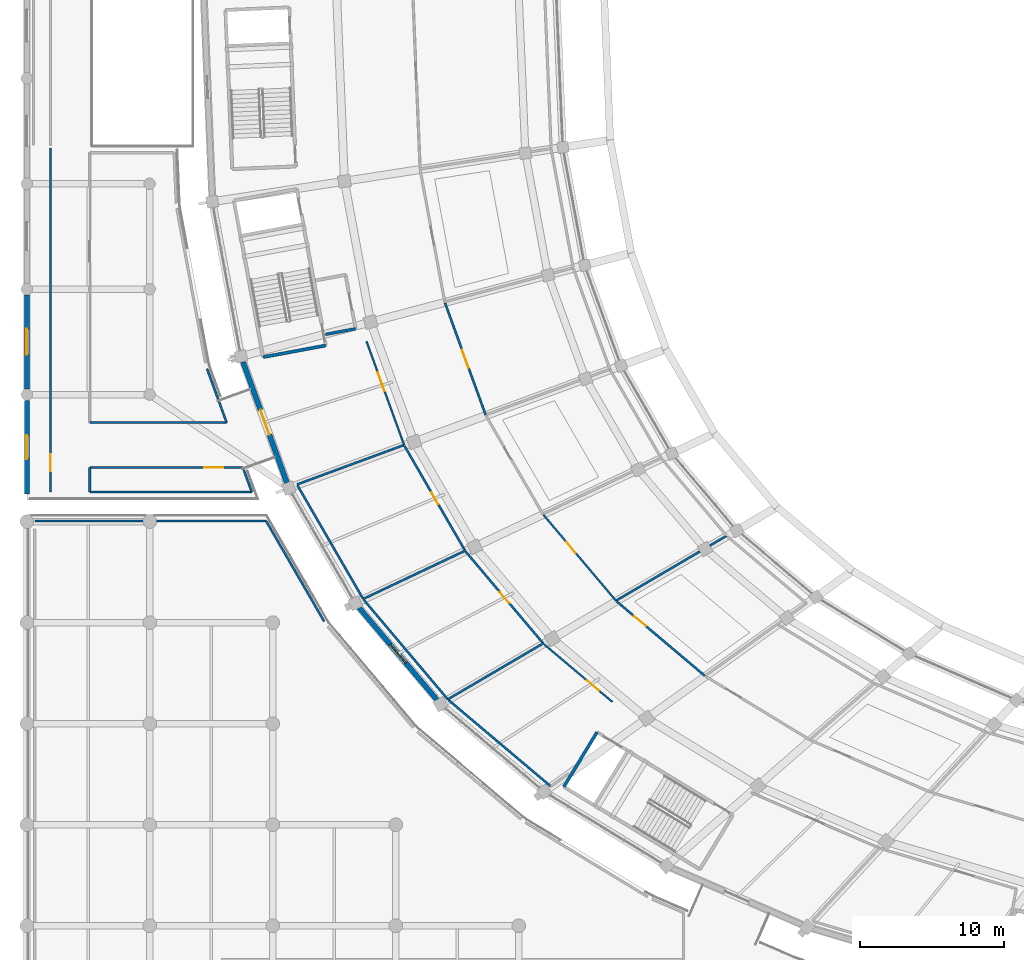
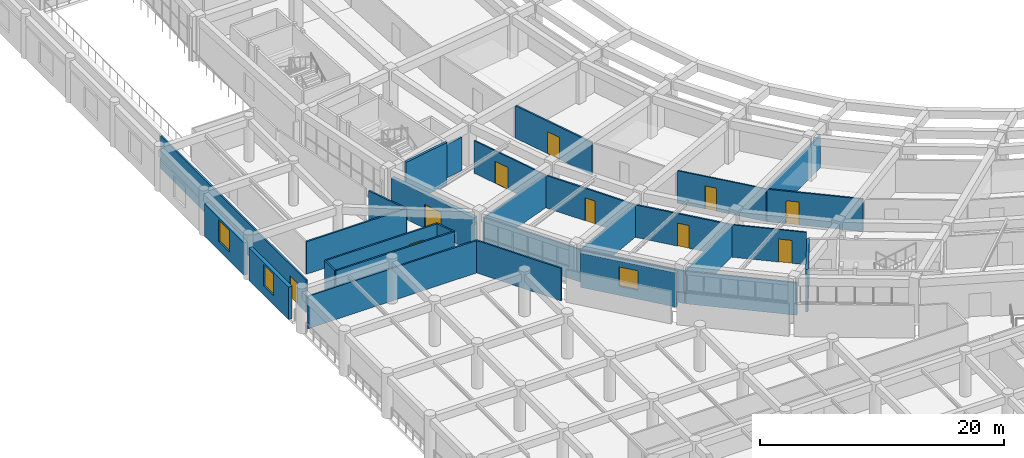
# One storey, part 93 of 145: 30 walls, 10 doors, 3 windows, 13 openings.
"""IFC4 building model written with IfcOpenShell, lengths in metres."""

from ifc_helpers import new_model, si_unit, direction, frame, frame_2d, origin, place, context, subcontext, project, spatial, rectangle, extrude, material, layer, layer_set, type_object, element, fill, save


model = new_model("IFC4")

# Units and contexts
model_context = context("Model", 3, precision=1e-05, world=origin(), true_north=direction((0.0, 1.0)))
body_context = subcontext(model_context, "Body", "Model", "MODEL_VIEW")
ifc_project = project(units=[si_unit("LENGTHUNIT", "METRE"), si_unit("AREAUNIT", "SQUARE_METRE"), si_unit("VOLUMEUNIT", "CUBIC_METRE"), si_unit("PLANEANGLEUNIT", "RADIAN"), si_unit("MASSUNIT", "GRAM", prefix="KILO")], contexts=[model_context])

# Site, building, storey
site_placement = place(None, origin())
site = spatial("IfcSite", under=ifc_project, at=site_placement, CompositionType="ELEMENT")
building_placement = place(site_placement, origin())
building = spatial("IfcBuilding", under=site, at=building_placement, Name="Mphavela Belvedere Stadium", CompositionType="ELEMENT")
storey_placement = place(building_placement, frame((0.0, 0.0, 10.199951171875)))
storey = spatial("IfcBuildingStorey", under=building, at=storey_placement, Name="L02", CompositionType="ELEMENT", Elevation=10.199951171875)

# Walls
ifc_material_1 = material(Name="Concrete C40/50", Category="concrete")
ifc_layer_1 = layer(ifc_material_1, 0.219970703125)
ifc_layer_set_1 = layer_set([ifc_layer_1], Name="Concrete C40/50")
wall_type_1 = type_object("IfcWallType", Name="WAL-CORE-SHEAR-220", PredefinedType="SHEAR", material=ifc_layer_set_1)
for number, where, z_axis, x_axis, name in (
    (1, (20.703857421875, 61.197021484375, 0.0), (0.0, 0.0, 1.0), (-0.983191575486, -0.182576904051, 0.0), "Core C09 shear wall L02 left"),
    (2, (39.497314453125, 34.4033203125, 0.0), (0.0, 0.0, 1.0), (-0.519664162523, -0.854370621095, 0.0), "Core C10 shear wall L02 right"),
):
    element("IfcWall", number, at=place(storey_placement, frame(where, z_axis=z_axis, x_axis=x_axis)), inside=storey, type_object=wall_type_1, Name=name, PredefinedType="SHEAR", context=body_context, shape_type="SweptSolid", body=[
        extrude(rectangle(XDim=4.41015625, YDim=0.219970703125, at=frame_2d((2.205078125, 0.0))), origin(), (0.0, 0.0, 1.0), 4.25),
    ])

# Wall, opening, door
ifc_material_2 = material(Name="Honed ashlar limestone masonry", Category="masonry")
ifc_layer_2 = layer(ifc_material_2, 0.35009765625)
ifc_layer_set_2 = layer_set([ifc_layer_2], Name="Honed ashlar limestone masonry")
wall_type_2 = type_object("IfcWallType", Name="WAL-EXT-ASHLAR-350", PredefinedType="STANDARD", material=ifc_layer_set_2)
wall_1_placement = place(storey_placement, frame((18.00830078125, 51.69189453125, 0.0), z_axis=(0.0, 0.0, 1.0), x_axis=(-0.34103858998, 0.940049296657, 0.0)))
wall_1 = element("IfcWall", 3, at=wall_1_placement, inside=storey, type_object=wall_type_2, Name="Classical link portal wall L02-27", PredefinedType="STANDARD", context=body_context, shape_type="SweptSolid", body=[
    extrude(rectangle(XDim=8.905517578125, YDim=0.35009765625, at=frame_2d((4.45263671875, 0.0))), origin(), (0.0, 0.0, 1.0), 3.420166015625),
])
opening_1_placement = place(wall_1_placement, frame((3.552734375, 0.0, 0.0)))
opening_1 = element("IfcOpeningElement", 4, at=opening_1_placement, cuts=wall_1, Name="Opening ID-9226", PredefinedType="OPENING", context=body_context, shape_type="SweptSolid", body=[
    extrude(rectangle(XDim=1.800048828125, YDim=2.39990234375, at=frame_2d((0.89990234375, 1.199951171875))), frame((0.0, 0.18505859375, 0.0), z_axis=(0.0, -1.0, 0.0), x_axis=(1.0, 0.0, 0.0)), (0.0, 0.0, 1.0), 0.3701171875),
])
ifc_material_3 = material(Name="Glazed bronze-anodised steel exit doorset", Category="steel")
door_type_1 = type_object("IfcDoorType", Name="DR-EXT-01", OperationType="NOTDEFINED", PredefinedType="DOOR", material=ifc_material_3)
door_1_placement = place(opening_1_placement, origin())
door_1 = element("IfcDoor", 5, at=door_1_placement, inside=storey, type_object=door_type_1, Name="Wing promenade link doorset L02-27", OperationType="DOUBLE_DOOR_SINGLE_SWING", OverallHeight=2.39990234375, OverallWidth=1.800048828125, PredefinedType="DOOR", context=body_context, shape_type="SweptSolid", body=[
    extrude(rectangle(XDim=1.800048828125, YDim=2.39990234375, at=frame_2d((0.89990234375, 1.199951171875))), frame((0.0, 0.02490234375, 0.0), z_axis=(0.0, -1.0, 0.0), x_axis=(1.0, 0.0, 0.0)), (0.0, 0.0, 1.0), 0.050048828125),
])
fill(opening_1, door_1)

# Wall, opening, window
wall_2_placement = place(storey_placement, frame((23.014404296875, 43.034423828125, 0.0), z_axis=(0.0, 0.0, 1.0), x_axis=(0.64515466323, -0.764052001184, 0.0)))
wall_2 = element("IfcWall", 6, at=wall_2_placement, inside=storey, type_object=wall_type_2, Name="Classical ashlar facade wall L02-29", PredefinedType="STANDARD", context=body_context, shape_type="SweptSolid", body=[
    extrude(rectangle(XDim=8.355224609375, YDim=0.35009765625, at=frame_2d((4.177734375, 0.0))), origin(), (0.0, 0.0, 1.0), 3.420166015625),
])
opening_2_placement = place(wall_2_placement, frame((3.34765625, 0.0, 0.89990234375)))
opening_2 = element("IfcOpeningElement", 7, at=opening_2_placement, cuts=wall_2, Name="Opening W-027", PredefinedType="OPENING", context=body_context, shape_type="SweptSolid", body=[
    extrude(rectangle(XDim=1.659912109375, YDim=1.949951171875, at=frame_2d((0.830078125, 0.97509765625))), frame((0.0, 0.18505859375, 0.0), z_axis=(0.0, -1.0, 0.0), x_axis=(1.0, 0.0, 0.0)), (0.0, 0.0, 1.0), 0.3701171875),
])
ifc_material_4 = material(Name="Bronze-anodised thermally broken aluminium window", Category="aluminium")
window_type_1 = type_object("IfcWindowType", Name="WIN-EXT-27", PartitioningType="SINGLE_PANEL", PredefinedType="WINDOW", material=ifc_material_4)
window_1_placement = place(opening_2_placement, origin())
window_1 = element("IfcWindow", 8, at=window_1_placement, inside=storey, type_object=window_type_1, Name="Belvedere gallery window W-027", OverallHeight=1.949951171875, OverallWidth=1.659912109375, PartitioningType="SINGLE_PANEL", PredefinedType="WINDOW", context=body_context, shape_type="SweptSolid", body=[
    extrude(rectangle(XDim=1.659912109375, YDim=1.949951171875, at=frame_2d((0.830078125, 0.97509765625))), frame((0.0, 0.030029296875, 0.0), z_axis=(0.0, -1.0, 0.0), x_axis=(1.0, 0.0, 0.0)), (0.0, 0.0, 1.0), 0.06005859375),
])
fill(opening_2, window_1)

wall_3_placement = place(storey_placement, frame((0.0, 50.89794921875, 0.0), z_axis=(0.0, 0.0, 1.0), x_axis=(0.0, 1.0, 0.0)))
wall_3 = element("IfcWall", 9, at=wall_3_placement, inside=storey, type_object=wall_type_2, Name="West Planted Eaves Peristyle Colonnade outer facade bay L02-01", PredefinedType="STANDARD", context=body_context, shape_type="SweptSolid", body=[
    extrude(rectangle(XDim=6.504150390625, YDim=0.35009765625, at=frame_2d((3.251953125, 0.0))), origin(), (0.0, 0.0, 1.0), 3.260009765625),
])
opening_3_placement = place(wall_3_placement, frame((2.422119140625, 0.0, 0.89990234375)))
opening_3 = element("IfcOpeningElement", 10, at=opening_3_placement, cuts=wall_3, Name="Opening W-258", PredefinedType="OPENING", context=body_context, shape_type="SweptSolid", body=[
    extrude(rectangle(XDim=1.659912109375, YDim=2.14990234375, at=frame_2d((0.830078125, 1.074951171875))), frame((0.0, 0.18505859375, 0.0), z_axis=(0.0, -1.0, 0.0), x_axis=(1.0, 0.0, 0.0)), (0.0, 0.0, 1.0), 0.3701171875),
])
ifc_material_5 = material(Name="Bronze-anodised thermally broken aluminium window", Category="aluminium")
window_type_2 = type_object("IfcWindowType", Name="WIN-EXT-38", PartitioningType="SINGLE_PANEL", PredefinedType="WINDOW", material=ifc_material_5)
window_2_placement = place(opening_3_placement, origin())
window_2 = element("IfcWindow", 11, at=window_2_placement, inside=storey, type_object=window_type_2, Name="West Planted Eaves Peristyle Colonnade classical window W-258", OverallHeight=2.14990234375, OverallWidth=1.659912109375, PartitioningType="SINGLE_PANEL", PredefinedType="WINDOW", context=body_context, shape_type="SweptSolid", body=[
    extrude(rectangle(XDim=1.659912109375, YDim=2.14990234375, at=frame_2d((0.830078125, 1.074951171875))), frame((0.0, 0.030029296875, 0.0), z_axis=(0.0, -1.0, 0.0), x_axis=(1.0, 0.0, 0.0)), (0.0, 0.0, 1.0), 0.06005859375),
])
fill(opening_3, window_2)

wall_4_placement = place(storey_placement, frame((0.0, 58.197998046875, 0.0), z_axis=(0.0, 0.0, 1.0), x_axis=(0.0, 1.0, 0.0)))
wall_4 = element("IfcWall", 12, at=wall_4_placement, inside=storey, type_object=wall_type_2, Name="West Planted Eaves Peristyle Colonnade outer facade bay L02-02", PredefinedType="STANDARD", context=body_context, shape_type="SweptSolid", body=[
    extrude(rectangle(XDim=6.50390625, YDim=0.35009765625, at=frame_2d((3.251953125, 0.0))), origin(), (0.0, 0.0, 1.0), 3.260009765625),
])
opening_4_placement = place(wall_4_placement, frame((2.35205078125, 0.0, 0.89990234375)))
opening_4 = element("IfcOpeningElement", 13, at=opening_4_placement, cuts=wall_4, Name="Opening W-259", PredefinedType="OPENING", context=body_context, shape_type="SweptSolid", body=[
    extrude(rectangle(XDim=1.800048828125, YDim=2.14990234375, at=frame_2d((0.89990234375, 1.074951171875))), frame((0.0, 0.18505859375, 0.0), z_axis=(0.0, -1.0, 0.0), x_axis=(1.0, 0.0, 0.0)), (0.0, 0.0, 1.0), 0.3701171875),
])
ifc_material_6 = material(Name="Bronze-anodised thermally broken aluminium window", Category="aluminium")
window_type_3 = type_object("IfcWindowType", Name="WIN-EXT-39", PartitioningType="SINGLE_PANEL", PredefinedType="WINDOW", material=ifc_material_6)
window_3_placement = place(opening_4_placement, origin())
window_3 = element("IfcWindow", 14, at=window_3_placement, inside=storey, type_object=window_type_3, Name="West Planted Eaves Peristyle Colonnade classical window W-259", OverallHeight=2.14990234375, OverallWidth=1.800048828125, PartitioningType="SINGLE_PANEL", PredefinedType="WINDOW", context=body_context, shape_type="SweptSolid", body=[
    extrude(rectangle(XDim=1.800048828125, YDim=2.14990234375, at=frame_2d((0.89990234375, 1.074951171875))), frame((0.0, 0.030029296875, 0.0), z_axis=(0.0, -1.0, 0.0), x_axis=(1.0, 0.0, 0.0)), (0.0, 0.0, 1.0), 0.06005859375),
])
fill(opening_4, window_3)

# Wall, opening, door
ifc_material_7 = material(Name="Moisture-resistant sanitary partition assembly")
ifc_layer_3 = layer(ifc_material_7, 0.125)
ifc_layer_set_3 = layer_set([ifc_layer_3], Name="Moisture-resistant sanitary partition assembly")
wall_type_3 = type_object("IfcWallType", Name="WAL-PART-125", PredefinedType="PARTITIONING", material=ifc_layer_set_3)
wall_5_placement = place(storey_placement, frame((23.531005859375, 61.47802734375, 0.0), z_axis=(0.0, 0.0, 1.0), x_axis=(0.341013494536, -0.940058400603, 0.0)))
wall_5 = element("IfcWall", 15, at=wall_5_placement, inside=storey, type_object=wall_type_3, Name="Room L02-101 corridor partition", PredefinedType="PARTITIONING", context=body_context, shape_type="SweptSolid", body=[
    extrude(rectangle(XDim=7.6318359375, YDim=0.125, at=frame_2d((3.81591796875, 0.0))), origin(), (0.0, 0.0, 1.0), 3.25),
])
opening_5_placement = place(wall_5_placement, frame((2.277099609375, 0.0, 0.0)))
opening_5 = element("IfcOpeningElement", 16, at=opening_5_placement, cuts=wall_5, Name="Opening ID-204", PredefinedType="OPENING", context=body_context, shape_type="SweptSolid", body=[
    extrude(rectangle(XDim=1.39990234375, YDim=2.199951171875, at=frame_2d((0.699951171875, 1.10009765625))), frame((0.0, 0.072509765625, 0.0), z_axis=(0.0, -1.0, 0.0), x_axis=(1.0, 0.0, 0.0)), (0.0, 0.0, 1.0), 0.14501953125),
])
ifc_material_8 = material(Name="Hardwood acoustic timber doorset", Category="wood")
door_type_2 = type_object("IfcDoorType", Name="DR-INT-24", OperationType="NOTDEFINED", PredefinedType="DOOR", material=ifc_material_8)
door_2_placement = place(opening_5_placement, origin())
door_2 = element("IfcDoor", 17, at=door_2_placement, inside=storey, type_object=door_type_2, Name="Room L02-101 entrance door ID-204", OperationType="SINGLE_SWING_RIGHT", OverallHeight=2.199951171875, OverallWidth=1.39990234375, PredefinedType="DOOR", context=body_context, shape_type="SweptSolid", body=[
    extrude(rectangle(XDim=1.39990234375, YDim=2.199951171875, at=frame_2d((0.699951171875, 1.10009765625))), frame((0.0, 0.02490234375, 0.0), z_axis=(0.0, -1.0, 0.0), x_axis=(1.0, 0.0, 0.0)), (0.0, 0.0, 1.0), 0.050048828125),
])
fill(opening_5, door_2)

wall_6_placement = place(storey_placement, frame((40.806884765625, 43.518310546875, 0.0), z_axis=(0.0, 0.0, 1.0), x_axis=(-0.645180817826, 0.764029915847, 0.0)))
wall_6 = element("IfcWall", 18, at=wall_6_placement, inside=storey, type_object=wall_type_3, Name="Room L02-106 corridor partition", PredefinedType="PARTITIONING", context=body_context, shape_type="SweptSolid", body=[
    extrude(rectangle(XDim=7.779296875, YDim=0.125, at=frame_2d((3.8896484375, 0.0))), origin(), (0.0, 0.0, 1.0), 3.25),
])
opening_6_placement = place(wall_6_placement, frame((4.323486328125, 0.0, 0.0)))
opening_6 = element("IfcOpeningElement", 19, at=opening_6_placement, cuts=wall_6, Name="Opening ID-207", PredefinedType="OPENING", context=body_context, shape_type="SweptSolid", body=[
    extrude(rectangle(XDim=0.97998046875, YDim=2.300048828125, at=frame_2d((0.489990234375, 1.14990234375))), frame((0.0, 0.072509765625, 0.0), z_axis=(0.0, -1.0, 0.0), x_axis=(1.0, 0.0, 0.0)), (0.0, 0.0, 1.0), 0.14501953125),
])
ifc_material_9 = material(Name="Hardwood acoustic timber doorset", Category="wood")
door_type_3 = type_object("IfcDoorType", Name="DR-INT-27", OperationType="NOTDEFINED", PredefinedType="DOOR", material=ifc_material_9)
door_3_placement = place(opening_6_placement, origin())
door_3 = element("IfcDoor", 20, at=door_3_placement, inside=storey, type_object=door_type_3, Name="Room L02-106 entrance door ID-207", OperationType="SINGLE_SWING_LEFT", OverallHeight=2.300048828125, OverallWidth=0.97998046875, PredefinedType="DOOR", context=body_context, shape_type="SweptSolid", body=[
    extrude(rectangle(XDim=0.97998046875, YDim=2.300048828125, at=frame_2d((0.489990234375, 1.14990234375))), frame((0.0, 0.02490234375, 0.0), z_axis=(0.0, -1.0, 0.0), x_axis=(1.0, 0.0, 0.0)), (0.0, 0.0, 1.0), 0.050048828125),
])
fill(opening_6, door_3)

wall_7_placement = place(storey_placement, frame((35.8251953125, 40.5029296875, 0.0), z_axis=(0.0, 0.0, 1.0), x_axis=(0.764269616674, -0.644896854565, 0.0)))
wall_7 = element("IfcWall", 21, at=wall_7_placement, inside=storey, type_object=wall_type_3, Name="Room L02-110 corridor partition", PredefinedType="PARTITIONING", context=body_context, shape_type="SweptSolid", body=[
    extrude(rectangle(XDim=6.19091796875, YDim=0.125, at=frame_2d((3.095458984375, 0.0))), origin(), (0.0, 0.0, 1.0), 3.25),
])
opening_7_placement = place(wall_7_placement, frame((3.880615234375, 0.0, 0.0)))
opening_7 = element("IfcOpeningElement", 22, at=opening_7_placement, cuts=wall_7, Name="Opening ID-210", PredefinedType="OPENING", context=body_context, shape_type="SweptSolid", body=[
    extrude(rectangle(XDim=1.10009765625, YDim=2.300048828125, at=frame_2d((0.550048828125, 1.14990234375))), frame((0.0, 0.072509765625, 0.0), z_axis=(0.0, -1.0, 0.0), x_axis=(1.0, 0.0, 0.0)), (0.0, 0.0, 1.0), 0.14501953125),
])
ifc_material_10 = material(Name="Hardwood acoustic timber doorset", Category="wood")
door_type_4 = type_object("IfcDoorType", Name="DR-INT-30", OperationType="NOTDEFINED", PredefinedType="DOOR", material=ifc_material_10)
door_4_placement = place(opening_7_placement, origin())
door_4 = element("IfcDoor", 23, at=door_4_placement, inside=storey, type_object=door_type_4, Name="Room L02-110 entrance door ID-210", OperationType="SINGLE_SWING_RIGHT", OverallHeight=2.300048828125, OverallWidth=1.10009765625, PredefinedType="DOOR", context=body_context, shape_type="SweptSolid", body=[
    extrude(rectangle(XDim=1.10009765625, YDim=2.300048828125, at=frame_2d((0.550048828125, 1.14990234375))), frame((0.0, 0.02490234375, 0.0), z_axis=(0.0, -1.0, 0.0), x_axis=(1.0, 0.0, 0.0)), (0.0, 0.0, 1.0), 0.050048828125),
])
fill(opening_7, door_4)

ifc_material_11 = material(Name="Acoustic gypsum stud partition assembly")
ifc_layer_4 = layer(ifc_material_11, 0.14990234375)
ifc_layer_set_4 = layer_set([ifc_layer_4], Name="Acoustic gypsum stud partition assembly")
wall_type_4 = type_object("IfcWallType", Name="WAL-PART-150", PredefinedType="PARTITIONING", material=ifc_layer_set_4)
wall_8_placement = place(storey_placement, frame((31.782470703125, 56.384765625, 0.0), z_axis=(0.0, 0.0, 1.0), x_axis=(-0.341044733968, 0.940047067669, 0.0)))
wall_8 = element("IfcWall", 24, at=wall_8_placement, inside=storey, type_object=wall_type_4, Name="Room L02-100 corridor partition", PredefinedType="PARTITIONING", context=body_context, shape_type="SweptSolid", body=[
    extrude(rectangle(XDim=8.25390625, YDim=0.14990234375, at=frame_2d((4.126953125, 0.0))), origin(), (0.0, 0.0, 1.0), 3.25),
])
opening_8_placement = place(wall_8_placement, frame((3.466796875, 0.0, 0.0)))
opening_8 = element("IfcOpeningElement", 25, at=opening_8_placement, cuts=wall_8, Name="Opening ID-203", PredefinedType="OPENING", context=body_context, shape_type="SweptSolid", body=[
    extrude(rectangle(XDim=1.320068359375, YDim=2.199951171875, at=frame_2d((0.66015625, 1.10009765625))), frame((0.0, 0.0849609375, 0.0), z_axis=(0.0, -1.0, 0.0), x_axis=(1.0, 0.0, 0.0)), (0.0, 0.0, 1.0), 0.169921875),
])
ifc_material_12 = material(Name="Hardwood acoustic timber doorset", Category="wood")
door_type_5 = type_object("IfcDoorType", Name="DR-INT-23", OperationType="NOTDEFINED", PredefinedType="DOOR", material=ifc_material_12)
door_5_placement = place(opening_8_placement, origin())
door_5 = element("IfcDoor", 26, at=door_5_placement, inside=storey, type_object=door_type_5, Name="Room L02-100 entrance door ID-203", OperationType="SINGLE_SWING_LEFT", OverallHeight=2.199951171875, OverallWidth=1.320068359375, PredefinedType="DOOR", context=body_context, shape_type="SweptSolid", body=[
    extrude(rectangle(XDim=1.320068359375, YDim=2.199951171875, at=frame_2d((0.66015625, 1.10009765625))), frame((0.0, 0.02490234375, 0.0), z_axis=(0.0, -1.0, 0.0), x_axis=(1.0, 0.0, 0.0)), (0.0, 0.0, 1.0), 0.050048828125),
])
fill(opening_8, door_5)

wall_9_placement = place(storey_placement, frame((26.1669921875, 54.230712890625, 0.0), z_axis=(0.0, 0.0, 1.0), x_axis=(0.500559280672, -0.865702262059, 0.0)))
wall_9 = element("IfcWall", 27, at=wall_9_placement, inside=storey, type_object=wall_type_4, Name="Room L02-104 corridor partition", PredefinedType="PARTITIONING", context=body_context, shape_type="SweptSolid", body=[
    extrude(rectangle(XDim=8.37451171875, YDim=0.14990234375, at=frame_2d((4.187255859375, 0.0))), origin(), (0.0, 0.0, 1.0), 3.25),
])
opening_9_placement = place(wall_9_placement, frame((3.71728515625, 0.0, 0.0)))
opening_9 = element("IfcOpeningElement", 28, at=opening_9_placement, cuts=wall_9, Name="Opening ID-206", PredefinedType="OPENING", context=body_context, shape_type="SweptSolid", body=[
    extrude(rectangle(XDim=0.93994140625, YDim=2.300048828125, at=frame_2d((0.469970703125, 1.14990234375))), frame((0.0, 0.0849609375, 0.0), z_axis=(0.0, -1.0, 0.0), x_axis=(1.0, 0.0, 0.0)), (0.0, 0.0, 1.0), 0.169921875),
])
ifc_material_13 = material(Name="Hardwood acoustic timber doorset", Category="wood")
door_type_6 = type_object("IfcDoorType", Name="DR-INT-26", OperationType="NOTDEFINED", PredefinedType="DOOR", material=ifc_material_13)
door_6_placement = place(opening_9_placement, origin())
door_6 = element("IfcDoor", 29, at=door_6_placement, inside=storey, type_object=door_type_6, Name="Room L02-104 entrance door ID-206", OperationType="SINGLE_SWING_RIGHT", OverallHeight=2.300048828125, OverallWidth=0.93994140625, PredefinedType="DOOR", context=body_context, shape_type="SweptSolid", body=[
    extrude(rectangle(XDim=0.93994140625, YDim=2.300048828125, at=frame_2d((0.469970703125, 1.14990234375))), frame((0.0, 0.02490234375, 0.0), z_axis=(0.0, -1.0, 0.0), x_axis=(1.0, 0.0, 0.0)), (0.0, 0.0, 1.0), 0.050048828125),
])
fill(opening_9, door_6)

wall_10_placement = place(storey_placement, frame((30.40478515625, 46.9140625, 0.0), z_axis=(0.0, 0.0, 1.0), x_axis=(0.64516519871, -0.76404310505, 0.0)))
wall_10 = element("IfcWall", 30, at=wall_10_placement, inside=storey, type_object=wall_type_4, Name="Room L02-107 corridor partition", PredefinedType="PARTITIONING", context=body_context, shape_type="SweptSolid", body=[
    extrude(rectangle(XDim=8.3134765625, YDim=0.14990234375, at=frame_2d((4.15673828125, 0.0))), origin(), (0.0, 0.0, 1.0), 3.25),
])
opening_10_placement = place(wall_10_placement, frame((3.646728515625, 0.0, 0.0)))
opening_10 = element("IfcOpeningElement", 31, at=opening_10_placement, cuts=wall_10, Name="Opening ID-208", PredefinedType="OPENING", context=body_context, shape_type="SweptSolid", body=[
    extrude(rectangle(XDim=1.02001953125, YDim=2.300048828125, at=frame_2d((0.510009765625, 1.14990234375))), frame((0.0, 0.0849609375, 0.0), z_axis=(0.0, -1.0, 0.0), x_axis=(1.0, 0.0, 0.0)), (0.0, 0.0, 1.0), 0.169921875),
])
ifc_material_14 = material(Name="Hardwood acoustic timber doorset", Category="wood")
door_type_7 = type_object("IfcDoorType", Name="DR-INT-28", OperationType="NOTDEFINED", PredefinedType="DOOR", material=ifc_material_14)
door_7_placement = place(opening_10_placement, origin())
door_7 = element("IfcDoor", 32, at=door_7_placement, inside=storey, type_object=door_type_7, Name="Room L02-107 entrance door ID-208", OperationType="SINGLE_SWING_RIGHT", OverallHeight=2.300048828125, OverallWidth=1.02001953125, PredefinedType="DOOR", context=body_context, shape_type="SweptSolid", body=[
    extrude(rectangle(XDim=1.02001953125, YDim=2.300048828125, at=frame_2d((0.510009765625, 1.14990234375))), frame((0.0, 0.02490234375, 0.0), z_axis=(0.0, -1.0, 0.0), x_axis=(1.0, 0.0, 0.0)), (0.0, 0.0, 1.0), 0.050048828125),
])
fill(opening_10, door_7)

wall_11_placement = place(storey_placement, frame((46.972900390625, 38.30810546875, 0.0), z_axis=(0.0, 0.0, 1.0), x_axis=(-0.764249122867, 0.644921141068, 0.0)))
wall_11 = element("IfcWall", 33, at=wall_11_placement, inside=storey, type_object=wall_type_4, Name="Room L02-109 corridor partition", PredefinedType="PARTITIONING", context=body_context, shape_type="SweptSolid", body=[
    extrude(rectangle(XDim=7.989501953125, YDim=0.14990234375, at=frame_2d((3.99462890625, 0.0))), origin(), (0.0, 0.0, 1.0), 3.25),
])
opening_11_placement = place(wall_11_placement, frame((5.3515625, 0.0, 0.0)))
opening_11 = element("IfcOpeningElement", 34, at=opening_11_placement, cuts=wall_11, Name="Opening ID-209", PredefinedType="OPENING", context=body_context, shape_type="SweptSolid", body=[
    extrude(rectangle(XDim=1.06005859375, YDim=2.300048828125, at=frame_2d((0.530029296875, 1.14990234375))), frame((0.0, 0.0849609375, 0.0), z_axis=(0.0, -1.0, 0.0), x_axis=(1.0, 0.0, 0.0)), (0.0, 0.0, 1.0), 0.169921875),
])
ifc_material_15 = material(Name="Hardwood acoustic timber doorset", Category="wood")
door_type_8 = type_object("IfcDoorType", Name="DR-INT-29", OperationType="NOTDEFINED", PredefinedType="DOOR", material=ifc_material_15)
door_8_placement = place(opening_11_placement, origin())
door_8 = element("IfcDoor", 35, at=door_8_placement, inside=storey, type_object=door_type_8, Name="Room L02-109 entrance door ID-209", OperationType="SINGLE_SWING_LEFT", OverallHeight=2.300048828125, OverallWidth=1.06005859375, PredefinedType="DOOR", context=body_context, shape_type="SweptSolid", body=[
    extrude(rectangle(XDim=1.06005859375, YDim=2.300048828125, at=frame_2d((0.530029296875, 1.14990234375))), frame((0.0, 0.02490234375, 0.0), z_axis=(0.0, -1.0, 0.0), x_axis=(1.0, 0.0, 0.0)), (0.0, 0.0, 1.0), 0.050048828125),
])
fill(opening_11, door_8)

wall_12_placement = place(storey_placement, frame((1.639892578125, 74.88330078125, 0.0), z_axis=(0.0, 0.0, 1.0), x_axis=(0.0, -1.0, 0.0)))
wall_12 = element("IfcWall", 36, at=wall_12_placement, inside=storey, type_object=wall_type_4, Name="Room L02-189 corridor partition", PredefinedType="PARTITIONING", context=body_context, shape_type="SweptSolid", body=[
    extrude(rectangle(XDim=23.833251953125, YDim=0.14990234375, at=frame_2d((11.91650390625, 0.0))), origin(), (0.0, 0.0, 1.0), 3.25),
])
opening_12_placement = place(wall_12_placement, frame((21.232666015625, 0.0, 0.0)))
opening_12 = element("IfcOpeningElement", 37, at=opening_12_placement, cuts=wall_12, Name="Opening ID-512", PredefinedType="OPENING", context=body_context, shape_type="SweptSolid", body=[
    extrude(rectangle(XDim=1.179931640625, YDim=2.10009765625, at=frame_2d((0.58984375, 1.050048828125))), frame((0.0, 0.0849609375, 0.0), z_axis=(0.0, -1.0, 0.0), x_axis=(1.0, 0.0, 0.0)), (0.0, 0.0, 1.0), 0.169921875),
])
ifc_material_16 = material(Name="Hardwood acoustic timber doorset", Category="wood")
door_type_9 = type_object("IfcDoorType", Name="DR-INT-08", OperationType="NOTDEFINED", PredefinedType="DOOR", material=ifc_material_16)
door_9_placement = place(opening_12_placement, origin())
door_9 = element("IfcDoor", 38, at=door_9_placement, inside=storey, type_object=door_type_9, Name="Room L02-189 entrance door ID-512", OperationType="SINGLE_SWING_RIGHT", OverallHeight=2.10009765625, OverallWidth=1.179931640625, PredefinedType="DOOR", context=body_context, shape_type="SweptSolid", body=[
    extrude(rectangle(XDim=1.179931640625, YDim=2.10009765625, at=frame_2d((0.58984375, 1.050048828125))), frame((0.0, 0.02490234375, 0.0), z_axis=(0.0, -1.0, 0.0), x_axis=(1.0, 0.0, 0.0)), (0.0, 0.0, 1.0), 0.050048828125),
])
fill(opening_12, door_9)

wall_13_placement = place(storey_placement, frame((4.360107421875, 52.739990234375, 0.0), z_axis=(0.0, 0.0, 1.0), x_axis=(1.0, 0.0, 0.0)))
wall_13 = element("IfcWall", 39, at=wall_13_placement, inside=storey, type_object=wall_type_4, Name="Room L02-192 corridor partition", PredefinedType="PARTITIONING", context=body_context, shape_type="SweptSolid", body=[
    extrude(rectangle(XDim=10.6083984375, YDim=0.14990234375, at=frame_2d((5.30419921875, 0.0))), origin(), (0.0, 0.0, 1.0), 3.25),
])
opening_13_placement = place(wall_13_placement, frame((7.9306640625, 0.0, 0.0)))
opening_13 = element("IfcOpeningElement", 40, at=opening_13_placement, cuts=wall_13, Name="Opening ID-515", PredefinedType="OPENING", context=body_context, shape_type="SweptSolid", body=[
    extrude(rectangle(XDim=1.320068359375, YDim=2.10009765625, at=frame_2d((0.66015625, 1.050048828125))), frame((0.0, 0.0849609375, 0.0), z_axis=(0.0, -1.0, 0.0), x_axis=(1.0, 0.0, 0.0)), (0.0, 0.0, 1.0), 0.169921875),
])
ifc_material_17 = material(Name="Hardwood acoustic timber doorset", Category="wood")
door_type_10 = type_object("IfcDoorType", Name="DR-INT-11", OperationType="NOTDEFINED", PredefinedType="DOOR", material=ifc_material_17)
door_10_placement = place(opening_13_placement, origin())
door_10 = element("IfcDoor", 41, at=door_10_placement, inside=storey, type_object=door_type_10, Name="Room L02-192 entrance door ID-515", OperationType="SINGLE_SWING_LEFT", OverallHeight=2.10009765625, OverallWidth=1.320068359375, PredefinedType="DOOR", context=body_context, shape_type="SweptSolid", body=[
    extrude(rectangle(XDim=1.320068359375, YDim=2.10009765625, at=frame_2d((0.66015625, 1.050048828125))), frame((0.0, 0.02490234375, 0.0), z_axis=(0.0, -1.0, 0.0), x_axis=(1.0, 0.0, 0.0)), (0.0, 0.0, 1.0), 0.050048828125),
])
fill(opening_13, door_10)

# Walls
wall_14_placement = place(storey_placement, frame((26.133544921875, 54.3037109375, 0.0), z_axis=(0.0, 0.0, 1.0), x_axis=(-0.938346807893, -0.345695340028, 0.0)))
element("IfcWall", 42, at=wall_14_placement, inside=storey, type_object=wall_type_4, Name="Room divider partition L02-0365", PredefinedType="PARTITIONING", context=body_context, shape_type="SweptSolid", body=[
    extrude(rectangle(XDim=7.90478515625, YDim=0.14990234375, at=frame_2d((3.952392578125, 0.0))), origin(), (0.0, 0.0, 1.0), 3.25),
])
wall_15_placement = place(storey_placement, frame((30.35888671875, 46.98095703125, 0.0), z_axis=(0.0, 0.0, 1.0), x_axis=(-0.903854859666, -0.427839213559, 0.0)))
element("IfcWall", 43, at=wall_15_placement, inside=storey, type_object=wall_type_4, Name="Room divider partition L02-0368", PredefinedType="PARTITIONING", context=body_context, shape_type="SweptSolid", body=[
    extrude(rectangle(XDim=7.814208984375, YDim=0.14990234375, at=frame_2d((3.9072265625, 0.0))), origin(), (0.0, 0.0, 1.0), 3.25),
])
wall_16_placement = place(storey_placement, frame((23.2958984375, 43.6376953125, 0.0), z_axis=(0.0, 0.0, 1.0), x_axis=(-0.500574107164, 0.865693689036, 0.0)))
element("IfcWall", 44, at=wall_16_placement, inside=storey, type_object=wall_type_4, Name="Room divider partition L02-0369", PredefinedType="PARTITIONING", context=body_context, shape_type="SweptSolid", body=[
    extrude(rectangle(XDim=9.080322265625, YDim=0.14990234375, at=frame_2d((4.5400390625, 0.0))), origin(), (0.0, 0.0, 1.0), 3.25),
])
wall_17_placement = place(storey_placement, frame((48.474609375, 48.016845703125, 0.0), z_axis=(0.0, 0.0, 1.0), x_axis=(-0.862518193496, -0.506026052579, 0.0)))
element("IfcWall", 45, at=wall_17_placement, inside=storey, type_object=wall_type_4, Name="Room divider partition L02-0371", PredefinedType="PARTITIONING", context=body_context, shape_type="SweptSolid", body=[
    extrude(rectangle(XDim=8.889892578125, YDim=0.14990234375, at=frame_2d((4.44482421875, 0.0))), origin(), (0.0, 0.0, 1.0), 3.25),
])
wall_18_placement = place(storey_placement, frame((35.768310546875, 40.562255859375, 0.0), z_axis=(0.0, 0.0, 1.0), x_axis=(-0.862520085009, -0.506022828492, 0.0)))
element("IfcWall", 46, at=wall_18_placement, inside=storey, type_object=wall_type_4, Name="Room divider partition L02-0372", PredefinedType="PARTITIONING", context=body_context, shape_type="SweptSolid", body=[
    extrude(rectangle(XDim=7.66259765625, YDim=0.14990234375, at=frame_2d((3.831298828125, 0.0))), origin(), (0.0, 0.0, 1.0), 3.25),
])
wall_19_placement = place(storey_placement, frame((29.1591796875, 36.684814453125, 0.0), z_axis=(0.0, 0.0, 1.0), x_axis=(-0.645166061073, 0.764042376861, 0.0)))
element("IfcWall", 47, at=wall_19_placement, inside=storey, type_object=wall_type_4, Name="Room divider partition L02-0373", PredefinedType="PARTITIONING", context=body_context, shape_type="SweptSolid", body=[
    extrude(rectangle(XDim=9.013916015625, YDim=0.14990234375, at=frame_2d((4.5068359375, 0.0))), origin(), (0.0, 0.0, 1.0), 3.25),
])
wall_20_placement = place(storey_placement, frame((36.29443359375, 30.656982421875, 0.0), z_axis=(0.0, 0.0, 1.0), x_axis=(-0.764252893528, 0.644916672706, 0.0)))
element("IfcWall", 48, at=wall_20_placement, inside=storey, type_object=wall_type_4, Name="Room divider partition L02-0377", PredefinedType="PARTITIONING", context=body_context, shape_type="SweptSolid", body=[
    extrude(rectangle(XDim=9.25732421875, YDim=0.14990234375, at=frame_2d((4.628662109375, 0.0))), origin(), (0.0, 0.0, 1.0), 3.25),
])
wall_21_placement = place(storey_placement, frame((16.5673828125, 49.050048828125, 0.0), z_axis=(0.0, 0.0, 1.0), x_axis=(0.500545605998, -0.865710168773, 0.0)))
element("IfcWall", 49, at=wall_21_placement, inside=storey, type_object=wall_type_4, Name="Room divider partition L02-0746", PredefinedType="PARTITIONING", context=body_context, shape_type="SweptSolid", body=[
    extrude(rectangle(XDim=8.04296875, YDim=0.14990234375, at=frame_2d((4.021484375, 0.0))), origin(), (0.0, 0.0, 1.0), 3.25),
])
wall_22_placement = place(storey_placement, frame((0.550048828125, 49.050048828125, 0.0), z_axis=(0.0, 0.0, 1.0), x_axis=(1.0, 0.0, 0.0)))
element("IfcWall", 50, at=wall_22_placement, inside=storey, type_object=wall_type_4, Name="Room divider partition L02-0756", PredefinedType="PARTITIONING", context=body_context, shape_type="SweptSolid", body=[
    extrude(rectangle(XDim=16.017333984375, YDim=0.14990234375, at=frame_2d((8.0087890625, 0.0))), origin(), (0.0, 0.0, 1.0), 3.25),
])
wall_23_placement = place(storey_placement, frame((14.968505859375, 52.739990234375, 0.0), z_axis=(0.0, 0.0, 1.0), x_axis=(0.341012375502, -0.940058806541, 0.0)))
element("IfcWall", 51, at=wall_23_placement, inside=storey, type_object=wall_type_4, Name="Room divider partition L02-1168", PredefinedType="PARTITIONING", context=body_context, shape_type="SweptSolid", body=[
    extrude(rectangle(XDim=1.797607421875, YDim=0.14990234375, at=frame_2d((0.89892578125, 0.0))), origin(), (0.0, 0.0, 1.0), 3.25),
])
wall_24_placement = place(storey_placement, frame((15.58154296875, 51.050048828125, 0.0), z_axis=(0.0, 0.0, 1.0), x_axis=(-1.0, 0.0, 0.0)))
element("IfcWall", 52, at=wall_24_placement, inside=storey, type_object=wall_type_4, Name="Room divider partition L02-1169", PredefinedType="PARTITIONING", context=body_context, shape_type="SweptSolid", body=[
    extrude(rectangle(XDim=11.221435546875, YDim=0.14990234375, at=frame_2d((5.61083984375, 0.0))), origin(), (0.0, 0.0, 1.0), 3.25),
])
wall_25_placement = place(storey_placement, frame((4.360107421875, 51.050048828125, 0.0), z_axis=(0.0, 0.0, 1.0), x_axis=(0.0, 1.0, 0.0)))
element("IfcWall", 53, at=wall_25_placement, inside=storey, type_object=wall_type_4, Name="Room divider partition L02-1170", PredefinedType="PARTITIONING", context=body_context, shape_type="SweptSolid", body=[
    extrude(rectangle(XDim=1.68994140625, YDim=0.14990234375, at=frame_2d((0.844970703125, 0.0))), origin(), (0.0, 0.0, 1.0), 3.25),
])
wall_26_placement = place(storey_placement, frame((12.4853515625, 59.5849609375, 0.0), z_axis=(0.0, 0.0, 1.0), x_axis=(0.341035525383, -0.94005040845, 0.0)))
element("IfcWall", 54, at=wall_26_placement, inside=storey, type_object=wall_type_4, Name="Room divider partition L02-1172", PredefinedType="PARTITIONING", context=body_context, shape_type="SweptSolid", body=[
    extrude(rectangle(XDim=3.96240234375, YDim=0.14990234375, at=frame_2d((1.981201171875, 0.0))), origin(), (0.0, 0.0, 1.0), 3.25),
])
wall_27_placement = place(storey_placement, frame((13.836669921875, 55.860107421875, 0.0), z_axis=(0.0, 0.0, 1.0), x_axis=(-1.0, 0.0, 0.0)))
element("IfcWall", 55, at=wall_27_placement, inside=storey, type_object=wall_type_4, Name="Room divider partition L02-1173", PredefinedType="PARTITIONING", context=body_context, shape_type="SweptSolid", body=[
    extrude(rectangle(XDim=9.4765625, YDim=0.14990234375, at=frame_2d((4.73828125, 0.0))), origin(), (0.0, 0.0, 1.0), 3.25),
])
ifc_material_18 = material(Name="Fire-rated calcium silicate partition assembly")
ifc_layer_5 = layer(ifc_material_18, 0.199951171875)
ifc_layer_set_5 = layer_set([ifc_layer_5], Name="Fire-rated calcium silicate partition assembly")
wall_type_5 = type_object("IfcWallType", Name="WAL-PART-FF-200", PredefinedType="PARTITIONING", material=ifc_layer_set_5)
wall_28_placement = place(storey_placement, frame((22.7724609375, 62.354248046875, 0.0), z_axis=(0.0, 0.0, 1.0), x_axis=(-0.983181056789, -0.18263353901, 0.0)))
element("IfcWall", 56, at=wall_28_placement, inside=storey, type_object=wall_type_5, Name="Firefighting lobby side wall L C09 L02", PredefinedType="PARTITIONING", context=body_context, shape_type="SweptSolid", body=[
    extrude(rectangle(XDim=2.1201171875, YDim=0.199951171875, at=frame_2d((1.06005859375, 0.0))), origin(), (0.0, 0.0, 1.0), 3.35009765625),
])

save(model, "model.ifc")
